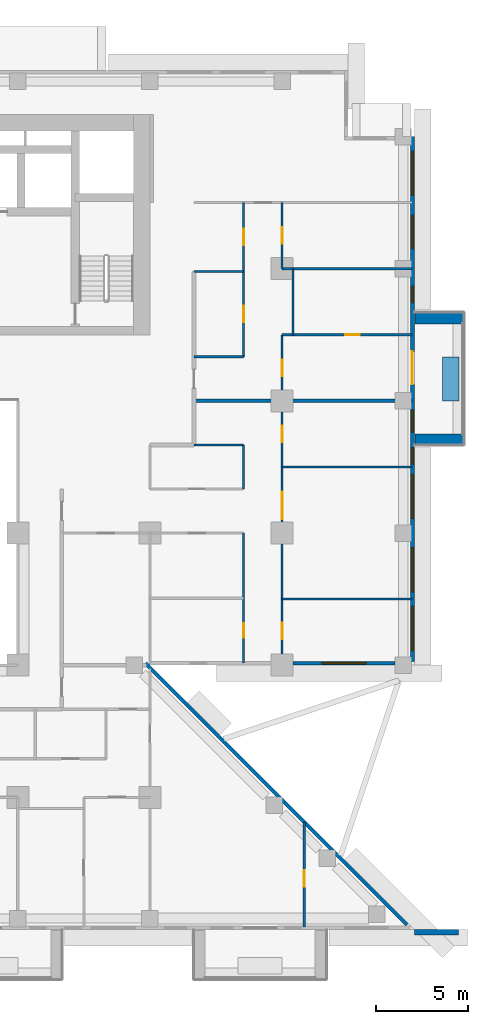
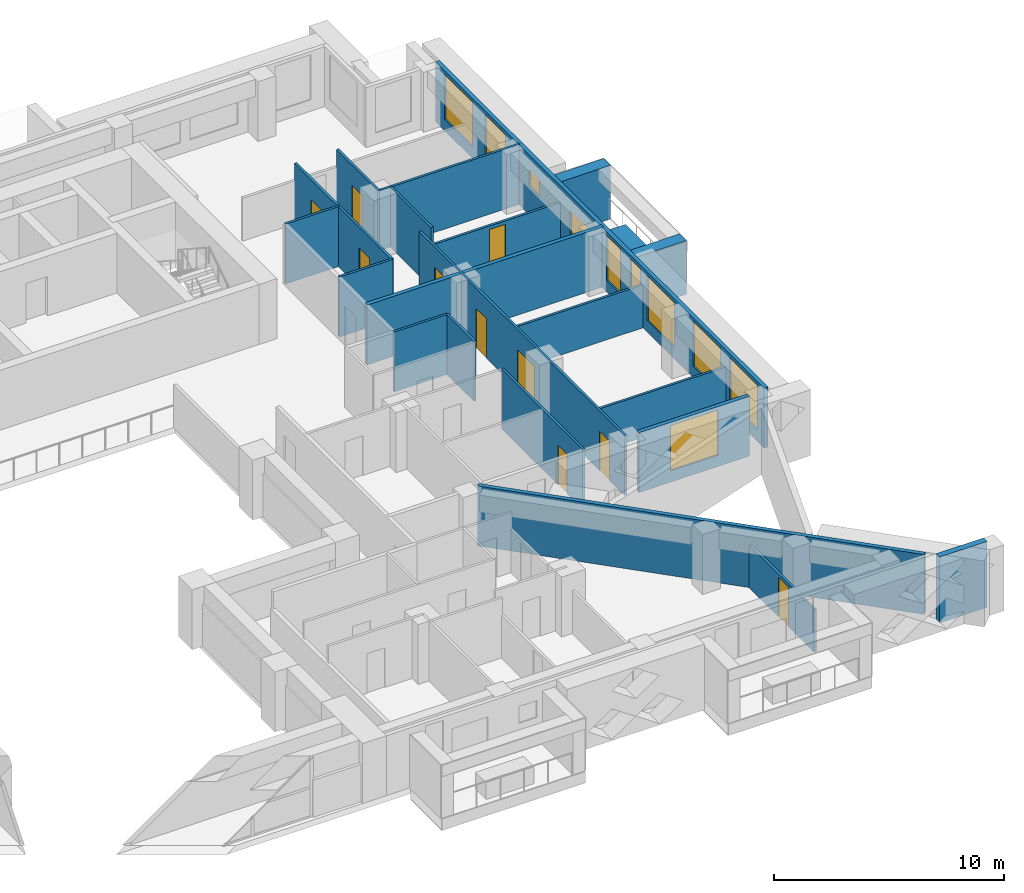
# One storey, part 12 of 17: 22 walls, 11 doors, 9 windows, 20 openings.
"""IFC4 building model written with IfcOpenShell, lengths in metres."""

from ifc_helpers import new_model, si_unit, direction, frame, frame_2d, origin, place, context, subcontext, project, spatial, rectangle, extrude, material, layer, layer_set, type_object, element, fill, save


model = new_model("IFC4")

# Units and contexts
model_context = context("Model", 3, precision=1e-05, world=origin(), true_north=direction((0.0, 1.0)))
body_context = subcontext(model_context, "Body", "Model", "MODEL_VIEW")
ifc_project = project(units=[si_unit("LENGTHUNIT", "METRE"), si_unit("AREAUNIT", "SQUARE_METRE"), si_unit("VOLUMEUNIT", "CUBIC_METRE"), si_unit("PLANEANGLEUNIT", "RADIAN"), si_unit("MASSUNIT", "GRAM", prefix="KILO")], contexts=[model_context])

# Site, building, storey
site_placement = place(None, origin())
site = spatial("IfcSite", under=ifc_project, at=site_placement, CompositionType="ELEMENT")
building_placement = place(site_placement, origin())
building = spatial("IfcBuilding", under=site, at=building_placement, Name="Saffron Iwan Residences", CompositionType="ELEMENT")
storey_placement = place(building_placement, frame((0.0, 0.0, 100.5)))
storey = spatial("IfcBuildingStorey", under=building, at=storey_placement, Name="L26", CompositionType="ELEMENT", Elevation=100.5)

# Walls
ifc_material_1 = material(Name="Concrete C50/60 white painted", Category="concrete")
ifc_layer_1 = layer(ifc_material_1, 0.60009765625)
ifc_layer_set_1 = layer_set([ifc_layer_1], Name="Concrete C50/60 white painted")
wall_type_1 = type_object("IfcWallType", Name="BALCONY FIN 600", PredefinedType="SOLIDWALL", material=ifc_layer_set_1)
for number, where, z_axis, x_axis, name in (
    (1, (86.449951171875, 60.300048828125, 0.0), (0.0, 0.0, 1.0), (1.0, 0.0, 0.0), "Balcony fin L26 F2-0a"),
    (2, (86.449951171875, 66.89990234375, 0.0), (0.0, 0.0, 1.0), (1.0, 0.0, 0.0), "Balcony fin L26 F2-0b"),
):
    element("IfcWall", number, at=place(storey_placement, frame(where, z_axis=z_axis, x_axis=x_axis)), inside=storey, type_object=wall_type_1, Name=name, PredefinedType="SOLIDWALL", context=body_context, shape_type="SweptSolid", body=[
        extrude(rectangle(XDim=2.650146484375, YDim=0.60009765625, at=frame_2d((1.3251953125, 0.0))), origin(), (0.0, 0.0, 1.0), 2.85009765625),
    ])
ifc_material_2 = material(Name="Concrete C35/45 white painted", Category="concrete")
ifc_layer_2 = layer(ifc_material_2, 0.14990234375)
ifc_layer_set_2 = layer_set([ifc_layer_2], Name="Concrete C35/45 white painted")
wall_type_2 = type_object("IfcWallType", Name="BALCONY PLANTER", PredefinedType="SOLIDWALL", material=ifc_layer_set_2)
wall_1_placement = place(storey_placement, frame((88.375, 62.39990234375, 0.0), z_axis=(0.0, 0.0, 1.0), x_axis=(0.0, 1.0, 0.0)))
element("IfcWall", 3, at=wall_1_placement, inside=storey, type_object=wall_type_2, Name="PLANTER L26 F2-0", PredefinedType="SOLIDWALL", context=body_context, shape_type="SweptSolid", body=[
    extrude(rectangle(XDim=2.400146484375, YDim=0.89990234375, at=frame_2d((1.2001953125, 0.0))), origin(), (0.0, 0.0, 1.0), 0.89990234375),
])
ifc_material_3 = material(Name="Concrete C40/50", Category="concrete")
ifc_layer_3 = layer(ifc_material_3, 0.199951171875)
ifc_layer_set_3 = layer_set([ifc_layer_3], Name="Concrete C40/50")
wall_type_3 = type_object("IfcWallType", Name="EXTERNAL WALL 200", PredefinedType="SOLIDWALL", material=ifc_layer_set_3)
wall_2_placement = place(storey_placement, frame((85.995849609375, 33.862548828125, 0.0), z_axis=(0.0, 0.0, 1.0), x_axis=(-0.707100718496, 0.707112843825, 0.0)))
element("IfcWall", 4, at=wall_2_placement, inside=storey, type_object=wall_type_3, Name="External wall L26 F0.0", PredefinedType="SOLIDWALL", context=body_context, shape_type="SweptSolid", body=[
    extrude(rectangle(XDim=20.134765625, YDim=0.199951171875, at=frame_2d((10.0673828125, 0.0))), origin(), (0.0, 0.0, 1.0), 3.179931640625),
])

# Wall, opening, window
wall_3_placement = place(storey_placement, frame((79.800048828125, 48.10009765625, 0.0), z_axis=(0.0, 0.0, 1.0), x_axis=(1.0, 0.0, 0.0)))
wall_3 = element("IfcWall", 5, at=wall_3_placement, inside=storey, type_object=wall_type_3, Name="External wall L26 F1.1", PredefinedType="SOLIDWALL", context=body_context, shape_type="SweptSolid", body=[
    extrude(rectangle(XDim=5.550048828125, YDim=0.199951171875, at=frame_2d((2.77490234375, 0.0))), origin(), (0.0, 0.0, 1.0), 3.179931640625),
])
opening_1_placement = place(wall_3_placement, frame((1.574951171875, 0.0, 0.60009765625)))
opening_1 = element("IfcOpeningElement", 6, at=opening_1_placement, cuts=wall_3, Name="Opening W1", PredefinedType="OPENING", context=body_context, shape_type="SweptSolid", body=[
    extrude(rectangle(XDim=2.39990234375, YDim=2.39990234375, at=frame_2d((1.199951171875, 1.199951171875))), frame((0.0, 0.10986328125, 0.0), z_axis=(0.0, -1.0, 0.0), x_axis=(1.0, 0.0, 0.0)), (0.0, 0.0, 1.0), 0.219970703125),
])
ifc_material_4 = material(Name="Clear glass, laminated double glazed", Category="glass")
window_type_1 = type_object("IfcWindowType", Name="WINDOW 2400 x 2400", PartitioningType="DOUBLE_PANEL_VERTICAL", PredefinedType="WINDOW", material=ifc_material_4)
window_1_placement = place(opening_1_placement, origin())
window_1 = element("IfcWindow", 7, at=window_1_placement, inside=storey, type_object=window_type_1, Name="Window L26 F1.0", OverallHeight=2.39990234375, OverallWidth=2.39990234375, PartitioningType="DOUBLE_PANEL_VERTICAL", PredefinedType="WINDOW", context=body_context, shape_type="SweptSolid", body=[
    extrude(rectangle(XDim=2.39990234375, YDim=2.39990234375, at=frame_2d((1.199951171875, 1.199951171875))), frame((0.0, 0.030029296875, 0.0), z_axis=(0.0, -1.0, 0.0), x_axis=(1.0, 0.0, 0.0)), (0.0, 0.0, 1.0), 0.06005859375),
])
fill(opening_1, window_1)

# Wall, openings, door, windows
wall_4_placement = place(storey_placement, frame((86.300048828125, 48.199951171875, 0.0), z_axis=(0.0, 0.0, 1.0), x_axis=(0.0, 1.0, 0.0)))
wall_4 = element("IfcWall", 8, at=wall_4_placement, inside=storey, type_object=wall_type_3, Name="External wall L26 F2.0", PredefinedType="SOLIDWALL", context=body_context, shape_type="SweptSolid", body=[
    extrude(rectangle(XDim=28.60009765625, YDim=0.199951171875, at=frame_2d((14.300048828125, 0.0))), origin(), (0.0, 0.0, 1.0), 3.179931640625),
])
opening_2_placement = place(wall_4_placement, frame((15.10009765625, 0.0, 0.0)))
opening_2 = element("IfcOpeningElement", 9, at=opening_2_placement, cuts=wall_4, Name="Opening BD1", PredefinedType="OPENING", context=body_context, shape_type="SweptSolid", body=[
    extrude(rectangle(XDim=1.800048828125, YDim=2.39990234375, at=frame_2d((0.89990234375, 1.199951171875))), frame((0.0, 0.10986328125, 0.0), z_axis=(0.0, -1.0, 0.0), x_axis=(1.0, 0.0, 0.0)), (0.0, 0.0, 1.0), 0.219970703125),
])
opening_3_placement = place(wall_4_placement, frame((0.60009765625, 0.0, 0.60009765625)))
opening_3 = element("IfcOpeningElement", 10, at=opening_3_placement, cuts=wall_4, Name="Opening W1", PredefinedType="OPENING", context=body_context, shape_type="SweptSolid", body=[
    extrude(rectangle(XDim=2.39990234375, YDim=2.39990234375, at=frame_2d((1.199951171875, 1.199951171875))), frame((0.0, 0.10986328125, 0.0), z_axis=(0.0, -1.0, 0.0), x_axis=(1.0, 0.0, 0.0)), (0.0, 0.0, 1.0), 0.219970703125),
])
opening_4_placement = place(wall_4_placement, frame((3.800048828125, 0.0, 0.60009765625)))
opening_4 = element("IfcOpeningElement", 11, at=opening_4_placement, cuts=wall_4, Name="Opening W1", PredefinedType="OPENING", context=body_context, shape_type="SweptSolid", body=[
    extrude(rectangle(XDim=2.39990234375, YDim=2.39990234375, at=frame_2d((1.199951171875, 1.199951171875))), frame((0.0, 0.10986328125, 0.0), z_axis=(0.0, -1.0, 0.0), x_axis=(1.0, 0.0, 0.0)), (0.0, 0.0, 1.0), 0.219970703125),
])
opening_5_placement = place(wall_4_placement, frame((7.800048828125, 0.0, 0.60009765625)))
opening_5 = element("IfcOpeningElement", 12, at=opening_5_placement, cuts=wall_4, Name="Opening W1", PredefinedType="OPENING", context=body_context, shape_type="SweptSolid", body=[
    extrude(rectangle(XDim=2.39990234375, YDim=2.39990234375, at=frame_2d((1.199951171875, 1.199951171875))), frame((0.0, 0.10986328125, 0.0), z_axis=(0.0, -1.0, 0.0), x_axis=(1.0, 0.0, 0.0)), (0.0, 0.0, 1.0), 0.219970703125),
])
opening_6_placement = place(wall_4_placement, frame((10.75, 0.0, 0.60009765625)))
opening_6 = element("IfcOpeningElement", 13, at=opening_6_placement, cuts=wall_4, Name="Opening W10", PredefinedType="OPENING", context=body_context, shape_type="SweptSolid", body=[
    extrude(rectangle(XDim=0.89990234375, YDim=2.39990234375, at=frame_2d((0.449951171875, 1.199951171875))), frame((0.0, 0.10986328125, 0.0), z_axis=(0.0, -1.0, 0.0), x_axis=(1.0, 0.0, 0.0)), (0.0, 0.0, 1.0), 0.219970703125),
])
opening_7_placement = place(wall_4_placement, frame((12.5, 0.0, 0.60009765625)))
opening_7 = element("IfcOpeningElement", 14, at=opening_7_placement, cuts=wall_4, Name="Opening W3", PredefinedType="OPENING", context=body_context, shape_type="SweptSolid", body=[
    extrude(rectangle(XDim=1.199951171875, YDim=2.39990234375, at=frame_2d((0.60009765625, 1.199951171875))), frame((0.0, 0.10986328125, 0.0), z_axis=(0.0, -1.0, 0.0), x_axis=(1.0, 0.0, 0.0)), (0.0, 0.0, 1.0), 0.219970703125),
])
opening_8_placement = place(wall_4_placement, frame((19.550048828125, 0.0, 1.5)))
opening_8 = element("IfcOpeningElement", 15, at=opening_8_placement, cuts=wall_4, Name="Opening W6", PredefinedType="OPENING", context=body_context, shape_type="SweptSolid", body=[
    extrude(rectangle(XDim=0.89990234375, YDim=0.89990234375, at=frame_2d((0.449951171875, 0.449951171875))), frame((0.0, 0.10986328125, 0.0), z_axis=(0.0, -1.0, 0.0), x_axis=(1.0, 0.0, 0.0)), (0.0, 0.0, 1.0), 0.219970703125),
])
opening_9_placement = place(wall_4_placement, frame((22.5, 0.0, 0.60009765625)))
opening_9 = element("IfcOpeningElement", 16, at=opening_9_placement, cuts=wall_4, Name="Opening W8", PredefinedType="OPENING", context=body_context, shape_type="SweptSolid", body=[
    extrude(rectangle(XDim=1.800048828125, YDim=2.39990234375, at=frame_2d((0.89990234375, 1.199951171875))), frame((0.0, 0.10986328125, 0.0), z_axis=(0.0, -1.0, 0.0), x_axis=(1.0, 0.0, 0.0)), (0.0, 0.0, 1.0), 0.219970703125),
])
opening_10_placement = place(wall_4_placement, frame((25.39990234375, 0.0, 0.60009765625)))
opening_10 = element("IfcOpeningElement", 17, at=opening_10_placement, cuts=wall_4, Name="Opening W1", PredefinedType="OPENING", context=body_context, shape_type="SweptSolid", body=[
    extrude(rectangle(XDim=2.39990234375, YDim=2.39990234375, at=frame_2d((1.199951171875, 1.199951171875))), frame((0.0, 0.10986328125, 0.0), z_axis=(0.0, -1.0, 0.0), x_axis=(1.0, 0.0, 0.0)), (0.0, 0.0, 1.0), 0.219970703125),
])
door_type_1 = type_object("IfcDoorType", Name="BALCONY DOOR 1800 x 2400", OperationType="DOUBLE_DOOR_SLIDING", PredefinedType="DOOR", material=ifc_material_4)
door_1_placement = place(opening_2_placement, origin())
door_1 = element("IfcDoor", 18, at=door_1_placement, inside=storey, type_object=door_type_1, Name="Balcony door L26 F2.0", OperationType="DOUBLE_DOOR_SLIDING", OverallHeight=2.39990234375, OverallWidth=1.800048828125, PredefinedType="DOOR", context=body_context, shape_type="SweptSolid", body=[
    extrude(rectangle(XDim=1.800048828125, YDim=2.39990234375, at=frame_2d((0.89990234375, 1.199951171875))), frame((0.0, 0.02490234375, 0.0), z_axis=(0.0, -1.0, 0.0), x_axis=(1.0, 0.0, 0.0)), (0.0, 0.0, 1.0), 0.050048828125),
])
fill(opening_2, door_1)
window_type_2 = type_object("IfcWindowType", Name="WINDOW 1200 x 2400", PartitioningType="SINGLE_PANEL", PredefinedType="WINDOW", material=ifc_material_4)
window_2_placement = place(opening_7_placement, origin())
window_2 = element("IfcWindow", 19, at=window_2_placement, inside=storey, type_object=window_type_2, Name="Window L26 F2.5", OverallHeight=2.39990234375, OverallWidth=1.199951171875, PartitioningType="SINGLE_PANEL", PredefinedType="WINDOW", context=body_context, shape_type="SweptSolid", body=[
    extrude(rectangle(XDim=1.199951171875, YDim=2.39990234375, at=frame_2d((0.60009765625, 1.199951171875))), frame((0.0, 0.030029296875, 0.0), z_axis=(0.0, -1.0, 0.0), x_axis=(1.0, 0.0, 0.0)), (0.0, 0.0, 1.0), 0.06005859375),
])
fill(opening_7, window_2)
window_type_3 = type_object("IfcWindowType", Name="WINDOW 1800 x 2400", PartitioningType="DOUBLE_PANEL_VERTICAL", PredefinedType="WINDOW", material=ifc_material_4)
window_3_placement = place(opening_9_placement, origin())
window_3 = element("IfcWindow", 20, at=window_3_placement, inside=storey, type_object=window_type_3, Name="Window L26 F2.7", OverallHeight=2.39990234375, OverallWidth=1.800048828125, PartitioningType="DOUBLE_PANEL_VERTICAL", PredefinedType="WINDOW", context=body_context, shape_type="SweptSolid", body=[
    extrude(rectangle(XDim=1.800048828125, YDim=2.39990234375, at=frame_2d((0.89990234375, 1.199951171875))), frame((0.0, 0.030029296875, 0.0), z_axis=(0.0, -1.0, 0.0), x_axis=(1.0, 0.0, 0.0)), (0.0, 0.0, 1.0), 0.06005859375),
])
fill(opening_9, window_3)
window_4_placement = place(opening_3_placement, origin())
window_4 = element("IfcWindow", 21, at=window_4_placement, inside=storey, type_object=window_type_1, Name="Window L26 F2.1", OverallHeight=2.39990234375, OverallWidth=2.39990234375, PartitioningType="DOUBLE_PANEL_VERTICAL", PredefinedType="WINDOW", context=body_context, shape_type="SweptSolid", body=[
    extrude(rectangle(XDim=2.39990234375, YDim=2.39990234375, at=frame_2d((1.199951171875, 1.199951171875))), frame((0.0, 0.030029296875, 0.0), z_axis=(0.0, -1.0, 0.0), x_axis=(1.0, 0.0, 0.0)), (0.0, 0.0, 1.0), 0.06005859375),
])
fill(opening_3, window_4)
window_5_placement = place(opening_4_placement, origin())
window_5 = element("IfcWindow", 22, at=window_5_placement, inside=storey, type_object=window_type_1, Name="Window L26 F2.2", OverallHeight=2.39990234375, OverallWidth=2.39990234375, PartitioningType="DOUBLE_PANEL_VERTICAL", PredefinedType="WINDOW", context=body_context, shape_type="SweptSolid", body=[
    extrude(rectangle(XDim=2.39990234375, YDim=2.39990234375, at=frame_2d((1.199951171875, 1.199951171875))), frame((0.0, 0.030029296875, 0.0), z_axis=(0.0, -1.0, 0.0), x_axis=(1.0, 0.0, 0.0)), (0.0, 0.0, 1.0), 0.06005859375),
])
fill(opening_4, window_5)
window_6_placement = place(opening_5_placement, origin())
window_6 = element("IfcWindow", 23, at=window_6_placement, inside=storey, type_object=window_type_1, Name="Window L26 F2.3", OverallHeight=2.39990234375, OverallWidth=2.39990234375, PartitioningType="DOUBLE_PANEL_VERTICAL", PredefinedType="WINDOW", context=body_context, shape_type="SweptSolid", body=[
    extrude(rectangle(XDim=2.39990234375, YDim=2.39990234375, at=frame_2d((1.199951171875, 1.199951171875))), frame((0.0, 0.030029296875, 0.0), z_axis=(0.0, -1.0, 0.0), x_axis=(1.0, 0.0, 0.0)), (0.0, 0.0, 1.0), 0.06005859375),
])
fill(opening_5, window_6)
window_7_placement = place(opening_10_placement, origin())
window_7 = element("IfcWindow", 24, at=window_7_placement, inside=storey, type_object=window_type_1, Name="Window L26 F2.8", OverallHeight=2.39990234375, OverallWidth=2.39990234375, PartitioningType="DOUBLE_PANEL_VERTICAL", PredefinedType="WINDOW", context=body_context, shape_type="SweptSolid", body=[
    extrude(rectangle(XDim=2.39990234375, YDim=2.39990234375, at=frame_2d((1.199951171875, 1.199951171875))), frame((0.0, 0.030029296875, 0.0), z_axis=(0.0, -1.0, 0.0), x_axis=(1.0, 0.0, 0.0)), (0.0, 0.0, 1.0), 0.06005859375),
])
fill(opening_10, window_7)
window_type_4 = type_object("IfcWindowType", Name="WINDOW 900 x 2400", PartitioningType="SINGLE_PANEL", PredefinedType="WINDOW", material=ifc_material_4)
window_8_placement = place(opening_6_placement, origin())
window_8 = element("IfcWindow", 25, at=window_8_placement, inside=storey, type_object=window_type_4, Name="Window L26 F2.4", OverallHeight=2.39990234375, OverallWidth=0.89990234375, PartitioningType="SINGLE_PANEL", PredefinedType="WINDOW", context=body_context, shape_type="SweptSolid", body=[
    extrude(rectangle(XDim=0.89990234375, YDim=2.39990234375, at=frame_2d((0.449951171875, 1.199951171875))), frame((0.0, 0.030029296875, 0.0), z_axis=(0.0, -1.0, 0.0), x_axis=(1.0, 0.0, 0.0)), (0.0, 0.0, 1.0), 0.06005859375),
])
fill(opening_6, window_8)
window_type_5 = type_object("IfcWindowType", Name="WINDOW 900 x 900 BATH", PartitioningType="SINGLE_PANEL", PredefinedType="WINDOW", material=ifc_material_4)
window_9_placement = place(opening_8_placement, origin())
window_9 = element("IfcWindow", 26, at=window_9_placement, inside=storey, type_object=window_type_5, Name="Window L26 F2.6", OverallHeight=0.89990234375, OverallWidth=0.89990234375, PartitioningType="SINGLE_PANEL", PredefinedType="WINDOW", context=body_context, shape_type="SweptSolid", body=[
    extrude(rectangle(XDim=0.89990234375, YDim=0.89990234375, at=frame_2d((0.449951171875, 0.449951171875))), frame((0.0, 0.030029296875, 0.0), z_axis=(0.0, -1.0, 0.0), x_axis=(1.0, 0.0, 0.0)), (0.0, 0.0, 1.0), 0.06005859375),
])
fill(opening_8, window_9)

# Walls
ifc_material_5 = material(Name="Fire-rated gypsum board wall")
ifc_layer_4 = layer(ifc_material_5, 0.199951171875)
ifc_layer_set_4 = layer_set([ifc_layer_4], Name="Fire-rated gypsum board wall")
wall_type_4 = type_object("IfcWallType", Name="Flat demising wall 200", PredefinedType="SOLIDWALL", material=ifc_layer_set_4)
wall_5_placement = place(storey_placement, frame((74.39990234375, 62.39990234375, 0.0), z_axis=(0.0, 0.0, 1.0), x_axis=(1.0, 0.0, 0.0)))
element("IfcWall", 27, at=wall_5_placement, inside=storey, type_object=wall_type_4, Name="W-L26-DEMISE-h62.4-74.4", PredefinedType="SOLIDWALL", context=body_context, shape_type="SweptSolid", body=[
    extrude(rectangle(XDim=11.875, YDim=0.199951171875, at=frame_2d((5.9375, 0.0))), origin(), (0.0, 0.0, 1.0), 3.179931640625),
])
ifc_material_6 = material(Name="Gypsum board partition")
ifc_layer_5 = layer(ifc_material_6, 0.1201171875)
ifc_layer_set_5 = layer_set([ifc_layer_5], Name="Gypsum board partition")
wall_type_5 = type_object("IfcWallType", Name="Flat partition 120", PredefinedType="PARTITIONING", material=ifc_layer_set_5)
for number, where, z_axis, x_axis, name in (
    (28, (79.199951171875, 51.60009765625, 0.0), (0.0, 0.0, 1.0), (1.0, 0.0, 0.0), "W-L26-PART-h51.6-79.2"),
    (29, (79.199951171875, 58.800048828125, 0.0), (0.0, 0.0, 1.0), (1.0, 0.0, 0.0), "W-L26-PART-h58.8-79.2"),
):
    element("IfcWall", number, at=place(storey_placement, frame(where, z_axis=z_axis, x_axis=x_axis)), inside=storey, type_object=wall_type_5, Name=name, PredefinedType="PARTITIONING", context=body_context, shape_type="SweptSolid", body=[
        extrude(rectangle(XDim=7.074951171875, YDim=0.1201171875, at=frame_2d((3.53759765625, 0.0))), origin(), (0.0, 0.0, 1.0), 2.280029296875),
    ])
for number, where, z_axis, x_axis, name in (
    (30, (74.39990234375, 60.0, 0.0), (0.0, 0.0, 1.0), (1.0, 0.0, 0.0), "W-L26-PART-h60-74.4"),
    (31, (74.39990234375, 64.800048828125, 0.0), (0.0, 0.0, 1.0), (1.0, 0.0, 0.0), "W-L26-PART-h64.8-74.4"),
):
    element("IfcWall", number, at=place(storey_placement, frame(where, z_axis=z_axis, x_axis=x_axis)), inside=storey, type_object=wall_type_5, Name=name, PredefinedType="PARTITIONING", context=body_context, shape_type="SweptSolid", body=[
        extrude(rectangle(XDim=2.7001953125, YDim=0.1201171875, at=frame_2d((1.35009765625, 0.0))), origin(), (0.0, 0.0, 1.0), 3.179931640625),
    ])

# Wall, opening, door
wall_6_placement = place(storey_placement, frame((79.199951171875, 66.0, 0.0), z_axis=(0.0, 0.0, 1.0), x_axis=(1.0, 0.0, 0.0)))
wall_6 = element("IfcWall", 32, at=wall_6_placement, inside=storey, type_object=wall_type_5, Name="W-L26-PART-h66-79.2", PredefinedType="PARTITIONING", context=body_context, shape_type="SweptSolid", body=[
    extrude(rectangle(XDim=7.074951171875, YDim=0.1201171875, at=frame_2d((3.53759765625, 0.0))), origin(), (0.0, 0.0, 1.0), 2.280029296875),
])
opening_11_placement = place(wall_6_placement, frame((3.4375, 0.0, 0.0)))
opening_11 = element("IfcOpeningElement", 33, at=opening_11_placement, cuts=wall_6, Name="Opening FD3", PredefinedType="OPENING", context=body_context, shape_type="SweptSolid", body=[
    extrude(rectangle(XDim=0.800048828125, YDim=2.10009765625, at=frame_2d((0.39990234375, 1.050048828125))), frame((0.0, 0.070068359375, 0.0), z_axis=(0.0, -1.0, 0.0), x_axis=(1.0, 0.0, 0.0)), (0.0, 0.0, 1.0), 0.14013671875),
])
ifc_material_7 = material(Name="Timber door", Category="wood")
door_type_2 = type_object("IfcDoorType", Name="Bathroom door 800", OperationType="NOTDEFINED", PredefinedType="DOOR", material=ifc_material_7)
door_2_placement = place(opening_11_placement, origin())
door_2 = element("IfcDoor", 34, at=door_2_placement, inside=storey, type_object=door_type_2, Name="Door L26-037", OperationType="SINGLE_SWING_LEFT", OverallHeight=2.10009765625, OverallWidth=0.800048828125, PredefinedType="DOOR", context=body_context, shape_type="SweptSolid", body=[
    extrude(rectangle(XDim=0.800048828125, YDim=2.10009765625, at=frame_2d((0.39990234375, 1.050048828125))), frame((0.0, 0.02490234375, 0.0), z_axis=(0.0, -1.0, 0.0), x_axis=(1.0, 0.0, 0.0)), (0.0, 0.0, 1.0), 0.050048828125),
])
fill(opening_11, door_2)

# Walls
wall_7_placement = place(storey_placement, frame((74.39990234375, 69.449951171875, 0.0), z_axis=(0.0, 0.0, 1.0), x_axis=(1.0, 0.0, 0.0)))
element("IfcWall", 35, at=wall_7_placement, inside=storey, type_object=wall_type_5, Name="W-L26-PART-h69.45-74.4", PredefinedType="PARTITIONING", context=body_context, shape_type="SweptSolid", body=[
    extrude(rectangle(XDim=2.7001953125, YDim=0.1201171875, at=frame_2d((1.35009765625, 0.0))), origin(), (0.0, 0.0, 1.0), 3.179931640625),
])
wall_8_placement = place(storey_placement, frame((79.199951171875, 69.60009765625, 0.0), z_axis=(0.0, 0.0, 1.0), x_axis=(1.0, 0.0, 0.0)))
element("IfcWall", 36, at=wall_8_placement, inside=storey, type_object=wall_type_5, Name="W-L26-PART-h69.6-79.2", PredefinedType="PARTITIONING", context=body_context, shape_type="SweptSolid", body=[
    extrude(rectangle(XDim=7.074951171875, YDim=0.1201171875, at=frame_2d((3.53759765625, 0.0))), origin(), (0.0, 0.0, 1.0), 3.179931640625),
])

# Wall, opening, door
wall_9_placement = place(storey_placement, frame((77.10009765625, 48.125, 0.0), z_axis=(0.0, 0.0, 1.0), x_axis=(0.0, 1.0, 0.0)))
wall_9 = element("IfcWall", 37, at=wall_9_placement, inside=storey, type_object=wall_type_5, Name="W-L26-PART-v77.1-48.125", PredefinedType="PARTITIONING", context=body_context, shape_type="SweptSolid", body=[
    extrude(rectangle(XDim=7.074951171875, YDim=0.1201171875, at=frame_2d((3.53759765625, 0.0))), origin(), (0.0, 0.0, 1.0), 3.179931640625),
])
opening_12_placement = place(wall_9_placement, frame((1.362548828125, 0.0, 0.0)))
opening_12 = element("IfcOpeningElement", 38, at=opening_12_placement, cuts=wall_9, Name="Opening FD3", PredefinedType="OPENING", context=body_context, shape_type="SweptSolid", body=[
    extrude(rectangle(XDim=0.800048828125, YDim=2.10009765625, at=frame_2d((0.39990234375, 1.050048828125))), frame((0.0, 0.070068359375, 0.0), z_axis=(0.0, -1.0, 0.0), x_axis=(1.0, 0.0, 0.0)), (0.0, 0.0, 1.0), 0.14013671875),
])
door_3_placement = place(opening_12_placement, origin())
door_3 = element("IfcDoor", 39, at=door_3_placement, inside=storey, type_object=door_type_2, Name="Door L26-024", OperationType="SINGLE_SWING_LEFT", OverallHeight=2.10009765625, OverallWidth=0.800048828125, PredefinedType="DOOR", context=body_context, shape_type="SweptSolid", body=[
    extrude(rectangle(XDim=0.800048828125, YDim=2.10009765625, at=frame_2d((0.39990234375, 1.050048828125))), frame((0.0, 0.02490234375, 0.0), z_axis=(0.0, -1.0, 0.0), x_axis=(1.0, 0.0, 0.0)), (0.0, 0.0, 1.0), 0.050048828125),
])
fill(opening_12, door_3)

# Wall
wall_10_placement = place(storey_placement, frame((77.10009765625, 57.60009765625, 0.0), z_axis=(0.0, 0.0, 1.0), x_axis=(0.0, 1.0, 0.0)))
element("IfcWall", 40, at=wall_10_placement, inside=storey, type_object=wall_type_5, Name="W-L26-PART-v77.1-57.6", PredefinedType="PARTITIONING", context=body_context, shape_type="SweptSolid", body=[
    extrude(rectangle(XDim=2.39990234375, YDim=0.1201171875, at=frame_2d((1.199951171875, 0.0))), origin(), (0.0, 0.0, 1.0), 3.179931640625),
])

# Wall, openings, doors
wall_11_placement = place(storey_placement, frame((77.10009765625, 64.800048828125, 0.0), z_axis=(0.0, 0.0, 1.0), x_axis=(0.0, 1.0, 0.0)))
wall_11 = element("IfcWall", 41, at=wall_11_placement, inside=storey, type_object=wall_type_5, Name="W-L26-PART-v77.1-64.8", PredefinedType="PARTITIONING", context=body_context, shape_type="SweptSolid", body=[
    extrude(rectangle(XDim=8.39990234375, YDim=0.1201171875, at=frame_2d((4.199951171875, 0.0))), origin(), (0.0, 0.0, 1.0), 3.179931640625),
])
opening_13_placement = place(wall_11_placement, frame((1.875, 0.0, 0.0)))
opening_13 = element("IfcOpeningElement", 42, at=opening_13_placement, cuts=wall_11, Name="Opening FD2", PredefinedType="OPENING", context=body_context, shape_type="SweptSolid", body=[
    extrude(rectangle(XDim=0.89990234375, YDim=2.10009765625, at=frame_2d((0.449951171875, 1.050048828125))), frame((0.0, 0.070068359375, 0.0), z_axis=(0.0, -1.0, 0.0), x_axis=(1.0, 0.0, 0.0)), (0.0, 0.0, 1.0), 0.14013671875),
])
opening_14_placement = place(wall_11_placement, frame((6.074951171875, 0.0, 0.0)))
opening_14 = element("IfcOpeningElement", 43, at=opening_14_placement, cuts=wall_11, Name="Opening FD2", PredefinedType="OPENING", context=body_context, shape_type="SweptSolid", body=[
    extrude(rectangle(XDim=0.89990234375, YDim=2.10009765625, at=frame_2d((0.449951171875, 1.050048828125))), frame((0.0, 0.070068359375, 0.0), z_axis=(0.0, -1.0, 0.0), x_axis=(1.0, 0.0, 0.0)), (0.0, 0.0, 1.0), 0.14013671875),
])
door_type_3 = type_object("IfcDoorType", Name="Flat door 900", OperationType="NOTDEFINED", PredefinedType="DOOR", material=ifc_material_7)
door_4_placement = place(opening_13_placement, origin())
door_4 = element("IfcDoor", 44, at=door_4_placement, inside=storey, type_object=door_type_3, Name="Door L26-040", OperationType="SINGLE_SWING_LEFT", OverallHeight=2.10009765625, OverallWidth=0.89990234375, PredefinedType="DOOR", context=body_context, shape_type="SweptSolid", body=[
    extrude(rectangle(XDim=0.89990234375, YDim=2.10009765625, at=frame_2d((0.449951171875, 1.050048828125))), frame((0.0, 0.02490234375, 0.0), z_axis=(0.0, -1.0, 0.0), x_axis=(1.0, 0.0, 0.0)), (0.0, 0.0, 1.0), 0.050048828125),
])
fill(opening_13, door_4)
door_5_placement = place(opening_14_placement, origin())
door_5 = element("IfcDoor", 45, at=door_5_placement, inside=storey, type_object=door_type_3, Name="Door L26-041", OperationType="SINGLE_SWING_RIGHT", OverallHeight=2.10009765625, OverallWidth=0.89990234375, PredefinedType="DOOR", context=body_context, shape_type="SweptSolid", body=[
    extrude(rectangle(XDim=0.89990234375, YDim=2.10009765625, at=frame_2d((0.449951171875, 1.050048828125))), frame((0.0, 0.02490234375, 0.0), z_axis=(0.0, -1.0, 0.0), x_axis=(1.0, 0.0, 0.0)), (0.0, 0.0, 1.0), 0.050048828125),
])
fill(opening_14, door_5)

wall_12_placement = place(storey_placement, frame((79.199951171875, 48.125, 0.0), z_axis=(0.0, 0.0, 1.0), x_axis=(0.0, 1.0, 0.0)))
wall_12 = element("IfcWall", 46, at=wall_12_placement, inside=storey, type_object=wall_type_5, Name="W-L26-PART-v79.2-48.125", PredefinedType="PARTITIONING", context=body_context, shape_type="SweptSolid", body=[
    extrude(rectangle(XDim=17.875, YDim=0.1201171875, at=frame_2d((8.9375, 0.0))), origin(), (0.0, 0.0, 1.0), 3.179931640625),
])
opening_15_placement = place(wall_12_placement, frame((1.28759765625, 0.0, 0.0)))
opening_15 = element("IfcOpeningElement", 47, at=opening_15_placement, cuts=wall_12, Name="Opening FD2", PredefinedType="OPENING", context=body_context, shape_type="SweptSolid", body=[
    extrude(rectangle(XDim=0.89990234375, YDim=2.10009765625, at=frame_2d((0.449951171875, 1.050048828125))), frame((0.0, 0.070068359375, 0.0), z_axis=(0.0, -1.0, 0.0), x_axis=(1.0, 0.0, 0.0)), (0.0, 0.0, 1.0), 0.14013671875),
])
opening_16_placement = place(wall_12_placement, frame((7.824951171875, 0.0, 0.0)))
opening_16 = element("IfcOpeningElement", 48, at=opening_16_placement, cuts=wall_12, Name="Opening FD4", PredefinedType="OPENING", context=body_context, shape_type="SweptSolid", body=[
    extrude(rectangle(XDim=1.5, YDim=2.10009765625, at=frame_2d((0.75, 1.050048828125))), frame((0.0, 0.070068359375, 0.0), z_axis=(0.0, -1.0, 0.0), x_axis=(1.0, 0.0, 0.0)), (0.0, 0.0, 1.0), 0.14013671875),
])
opening_17_placement = place(wall_12_placement, frame((12.02490234375, 0.0, 0.0)))
opening_17 = element("IfcOpeningElement", 49, at=opening_17_placement, cuts=wall_12, Name="Opening FD2", PredefinedType="OPENING", context=body_context, shape_type="SweptSolid", body=[
    extrude(rectangle(XDim=0.89990234375, YDim=2.10009765625, at=frame_2d((0.449951171875, 1.050048828125))), frame((0.0, 0.070068359375, 0.0), z_axis=(0.0, -1.0, 0.0), x_axis=(1.0, 0.0, 0.0)), (0.0, 0.0, 1.0), 0.14013671875),
])
opening_18_placement = place(wall_12_placement, frame((15.625, 0.0, 0.0)))
opening_18 = element("IfcOpeningElement", 50, at=opening_18_placement, cuts=wall_12, Name="Opening FD2", PredefinedType="OPENING", context=body_context, shape_type="SweptSolid", body=[
    extrude(rectangle(XDim=0.89990234375, YDim=2.10009765625, at=frame_2d((0.449951171875, 1.050048828125))), frame((0.0, 0.070068359375, 0.0), z_axis=(0.0, -1.0, 0.0), x_axis=(1.0, 0.0, 0.0)), (0.0, 0.0, 1.0), 0.14013671875),
])
door_type_4 = type_object("IfcDoorType", Name="Double door 1500", OperationType="NOTDEFINED", PredefinedType="DOOR", material=ifc_material_7)
door_6_placement = place(opening_16_placement, origin())
door_6 = element("IfcDoor", 51, at=door_6_placement, inside=storey, type_object=door_type_4, Name="Door L26-022", OperationType="SINGLE_SWING_RIGHT", OverallHeight=2.10009765625, OverallWidth=1.5, PredefinedType="DOOR", context=body_context, shape_type="SweptSolid", body=[
    extrude(rectangle(XDim=1.5, YDim=2.10009765625, at=frame_2d((0.75, 1.050048828125))), frame((0.0, 0.02490234375, 0.0), z_axis=(0.0, -1.0, 0.0), x_axis=(1.0, 0.0, 0.0)), (0.0, 0.0, 1.0), 0.050048828125),
])
fill(opening_16, door_6)
door_7_placement = place(opening_15_placement, origin())
door_7 = element("IfcDoor", 52, at=door_7_placement, inside=storey, type_object=door_type_3, Name="Door L26-021", OperationType="SINGLE_SWING_LEFT", OverallHeight=2.10009765625, OverallWidth=0.89990234375, PredefinedType="DOOR", context=body_context, shape_type="SweptSolid", body=[
    extrude(rectangle(XDim=0.89990234375, YDim=2.10009765625, at=frame_2d((0.449951171875, 1.050048828125))), frame((0.0, 0.02490234375, 0.0), z_axis=(0.0, -1.0, 0.0), x_axis=(1.0, 0.0, 0.0)), (0.0, 0.0, 1.0), 0.050048828125),
])
fill(opening_15, door_7)
door_8_placement = place(opening_17_placement, origin())
door_8 = element("IfcDoor", 53, at=door_8_placement, inside=storey, type_object=door_type_3, Name="Door L26-023", OperationType="SINGLE_SWING_RIGHT", OverallHeight=2.10009765625, OverallWidth=0.89990234375, PredefinedType="DOOR", context=body_context, shape_type="SweptSolid", body=[
    extrude(rectangle(XDim=0.89990234375, YDim=2.10009765625, at=frame_2d((0.449951171875, 1.050048828125))), frame((0.0, 0.02490234375, 0.0), z_axis=(0.0, -1.0, 0.0), x_axis=(1.0, 0.0, 0.0)), (0.0, 0.0, 1.0), 0.050048828125),
])
fill(opening_17, door_8)
door_9_placement = place(opening_18_placement, origin())
door_9 = element("IfcDoor", 54, at=door_9_placement, inside=storey, type_object=door_type_3, Name="Door L26-036", OperationType="SINGLE_SWING_LEFT", OverallHeight=2.10009765625, OverallWidth=0.89990234375, PredefinedType="DOOR", context=body_context, shape_type="SweptSolid", body=[
    extrude(rectangle(XDim=0.89990234375, YDim=2.10009765625, at=frame_2d((0.449951171875, 1.050048828125))), frame((0.0, 0.02490234375, 0.0), z_axis=(0.0, -1.0, 0.0), x_axis=(1.0, 0.0, 0.0)), (0.0, 0.0, 1.0), 0.050048828125),
])
fill(opening_18, door_9)

# Wall, opening, door
wall_13_placement = place(storey_placement, frame((79.199951171875, 69.60009765625, 0.0), z_axis=(0.0, 0.0, 1.0), x_axis=(0.0, 1.0, 0.0)))
wall_13 = element("IfcWall", 55, at=wall_13_placement, inside=storey, type_object=wall_type_5, Name="W-L26-PART-v79.2-69.6", PredefinedType="PARTITIONING", context=body_context, shape_type="SweptSolid", body=[
    extrude(rectangle(XDim=3.599853515625, YDim=0.1201171875, at=frame_2d((1.7998046875, 0.0))), origin(), (0.0, 0.0, 1.0), 3.179931640625),
])
opening_19_placement = place(wall_13_placement, frame((1.35009765625, 0.0, 0.0)))
opening_19 = element("IfcOpeningElement", 56, at=opening_19_placement, cuts=wall_13, Name="Opening FD2", PredefinedType="OPENING", context=body_context, shape_type="SweptSolid", body=[
    extrude(rectangle(XDim=0.89990234375, YDim=2.10009765625, at=frame_2d((0.449951171875, 1.050048828125))), frame((0.0, 0.070068359375, 0.0), z_axis=(0.0, -1.0, 0.0), x_axis=(1.0, 0.0, 0.0)), (0.0, 0.0, 1.0), 0.14013671875),
])
door_10_placement = place(opening_19_placement, origin())
door_10 = element("IfcDoor", 57, at=door_10_placement, inside=storey, type_object=door_type_3, Name="Door L26-038", OperationType="SINGLE_SWING_RIGHT", OverallHeight=2.10009765625, OverallWidth=0.89990234375, PredefinedType="DOOR", context=body_context, shape_type="SweptSolid", body=[
    extrude(rectangle(XDim=0.89990234375, YDim=2.10009765625, at=frame_2d((0.449951171875, 1.050048828125))), frame((0.0, 0.02490234375, 0.0), z_axis=(0.0, -1.0, 0.0), x_axis=(1.0, 0.0, 0.0)), (0.0, 0.0, 1.0), 0.050048828125),
])
fill(opening_19, door_10)

# Wall
wall_14_placement = place(storey_placement, frame((79.800048828125, 66.0, 0.0), z_axis=(0.0, 0.0, 1.0), x_axis=(0.0, 1.0, 0.0)))
element("IfcWall", 58, at=wall_14_placement, inside=storey, type_object=wall_type_5, Name="W-L26-PART-v79.8-66", PredefinedType="PARTITIONING", context=body_context, shape_type="SweptSolid", body=[
    extrude(rectangle(XDim=3.60009765625, YDim=0.1201171875, at=frame_2d((1.800048828125, 0.0))), origin(), (0.0, 0.0, 1.0), 3.179931640625),
])

# Wall, opening, door
wall_15_placement = place(storey_placement, frame((80.39990234375, 33.72509765625, 0.0), z_axis=(0.0, 0.0, 1.0), x_axis=(0.0, 1.0, 0.0)))
wall_15 = element("IfcWall", 59, at=wall_15_placement, inside=storey, type_object=wall_type_5, Name="W-L26-PART-v80.4-33.725", PredefinedType="PARTITIONING", context=body_context, shape_type="SweptSolid", body=[
    extrude(rectangle(XDim=5.697998046875, YDim=0.1201171875, at=frame_2d((2.84912109375, 0.0))), origin(), (0.0, 0.0, 1.0), 2.280029296875),
])
opening_20_placement = place(wall_15_placement, frame((2.198974609375, 0.0, 0.0)))
opening_20 = element("IfcOpeningElement", 60, at=opening_20_placement, cuts=wall_15, Name="Opening FD2", PredefinedType="OPENING", context=body_context, shape_type="SweptSolid", body=[
    extrude(rectangle(XDim=0.89990234375, YDim=2.10009765625, at=frame_2d((0.449951171875, 1.050048828125))), frame((0.0, 0.070068359375, 0.0), z_axis=(0.0, -1.0, 0.0), x_axis=(1.0, 0.0, 0.0)), (0.0, 0.0, 1.0), 0.14013671875),
])
door_11_placement = place(opening_20_placement, origin())
door_11 = element("IfcDoor", 61, at=door_11_placement, inside=storey, type_object=door_type_3, Name="Door L26-050", OperationType="SINGLE_SWING_LEFT", OverallHeight=2.10009765625, OverallWidth=0.89990234375, PredefinedType="DOOR", context=body_context, shape_type="SweptSolid", body=[
    extrude(rectangle(XDim=0.89990234375, YDim=2.10009765625, at=frame_2d((0.449951171875, 1.050048828125))), frame((0.0, 0.02490234375, 0.0), z_axis=(0.0, -1.0, 0.0), x_axis=(1.0, 0.0, 0.0)), (0.0, 0.0, 1.0), 0.050048828125),
])
fill(opening_20, door_11)

# Wall
ifc_layer_6 = layer(ifc_material_1, 0.300048828125)
ifc_layer_set_6 = layer_set([ifc_layer_6], Name="Concrete C50/60 white painted")
wall_type_6 = type_object("IfcWallType", Name="PROW BLADE 300", PredefinedType="SOLIDWALL", material=ifc_layer_set_6)
wall_16_placement = place(storey_placement, frame((86.39990234375, 33.449951171875, -0.320068359375), z_axis=(0.0, 0.0, 1.0), x_axis=(1.0, 0.0, 0.0)))
element("IfcWall", 62, at=wall_16_placement, inside=storey, type_object=wall_type_6, Name="Prow blade L26", PredefinedType="SOLIDWALL", context=body_context, shape_type="SweptSolid", body=[
    extrude(rectangle(XDim=2.400146484375, YDim=0.300048828125, at=frame_2d((1.2001953125, 0.0))), origin(), (0.0, 0.0, 1.0), 3.5),
])

save(model, "model.ifc")
